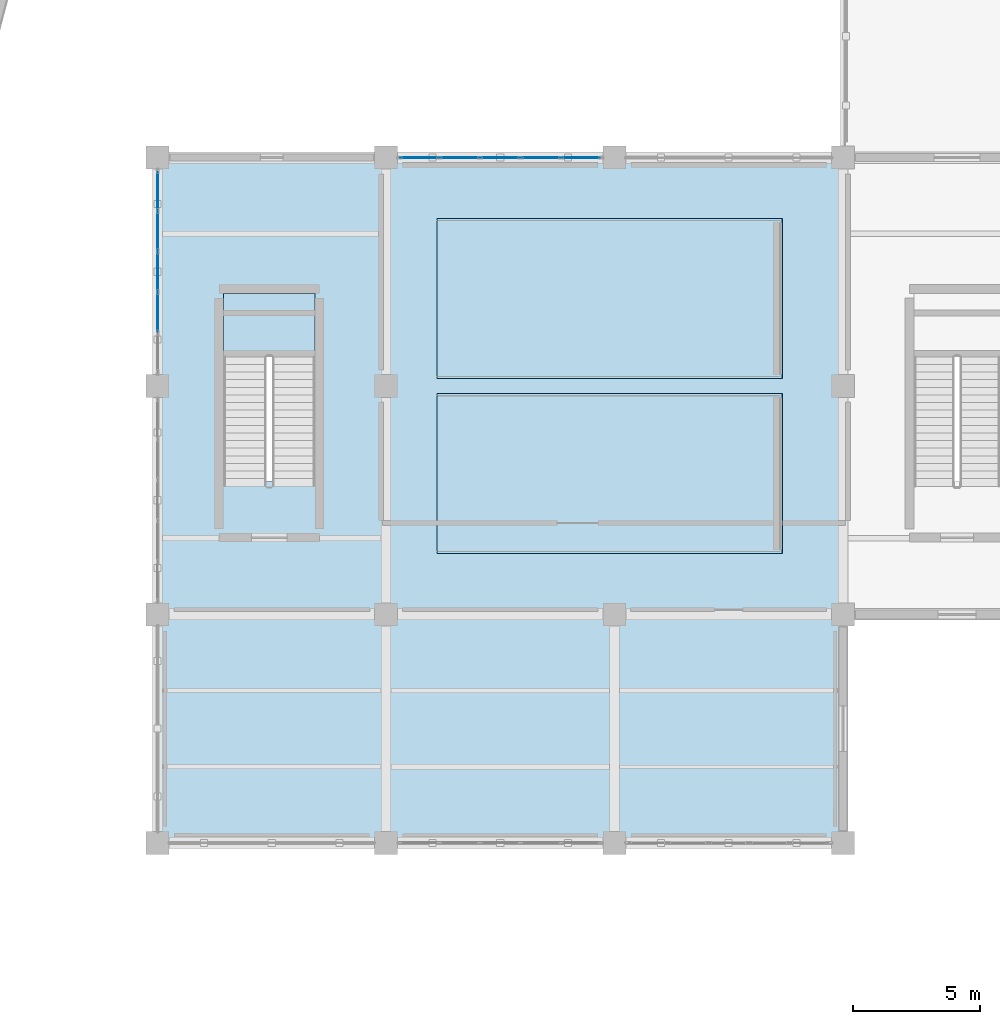
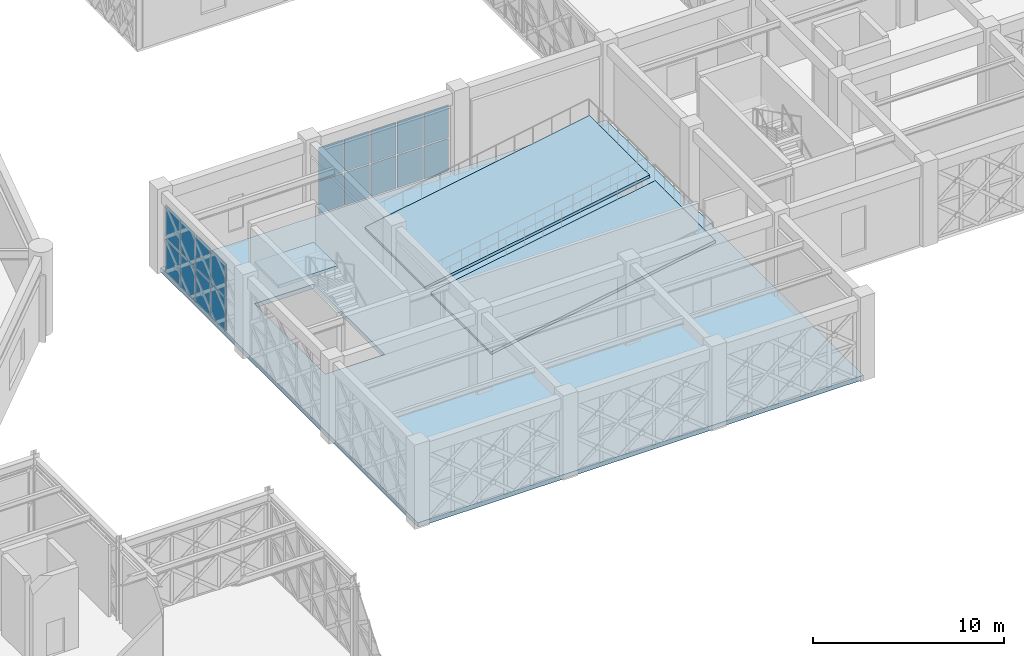
# One storey, part 129 of 166: 18 plates, 4 slabs, 3 elements without a shape of their own.
"""IFC4 building model written with IfcOpenShell, lengths in metres."""

from ifc_helpers import new_model, si_unit, direction, frame, origin, origin_2d, place, context, subcontext, project, spatial, polyline, rectangle, outline, extrude, material, layer, layer_set, type_object, element, aggregate, save


model = new_model("IFC4")

# Units and contexts
model_context = context("Model", 3, precision=1e-05, world=origin(), true_north=direction((0.0, 1.0)))
body_context = subcontext(model_context, "Body", "Model", "MODEL_VIEW")
ifc_project = project(units=[si_unit("LENGTHUNIT", "METRE"), si_unit("AREAUNIT", "SQUARE_METRE"), si_unit("VOLUMEUNIT", "CUBIC_METRE"), si_unit("PLANEANGLEUNIT", "RADIAN"), si_unit("MASSUNIT", "GRAM", prefix="KILO")], contexts=[model_context])

# Site, building, storey
site_placement = place(None, origin())
site = spatial("IfcSite", under=ifc_project, at=site_placement, CompositionType="ELEMENT")
building_placement = place(site_placement, origin())
building = spatial("IfcBuilding", under=site, at=building_placement, Name="Haizhuo Lancet Aquarium", CompositionType="ELEMENT")
storey_placement = place(building_placement, frame((0.0, 0.0, 5.39990234375)))
storey = spatial("IfcBuildingStorey", under=building, at=storey_placement, Name="L01", CompositionType="ELEMENT", Elevation=5.39990234375)

# Curtain wall, plates
ifc_material_1 = material(Name="Aluminium 6063-T6", Category="aluminium")
curtain_wall_type_1 = type_object("IfcCurtainWallType", Name="CWO-8010x4390", PredefinedType="NOTDEFINED", material=ifc_material_1)
curtain_wall_1_placement = place(storey_placement, origin())
curtain_wall_1 = element("IfcCurtainWall", 1, at=curtain_wall_1_placement, inside=storey, type_object=curtain_wall_type_1, Name="L01 curtain wall CW-V3-L01-038", PredefinedType="NOTDEFINED")
ifc_material_2 = material(Name="Laminated Low-E Glass", Category="glass")
ifc_layer_1 = layer(ifc_material_2, 0.033935546875)
ifc_layer_set_1 = layer_set([ifc_layer_1], Name="Laminated Low-E Glass")
plate_type = type_object("IfcPlateType", Name="CW-PNL-2", PredefinedType="CURTAIN_PANEL", material=ifc_layer_set_1)
plate_1_placement = place(storey_placement, frame((37.31494140625, -9.0, 0.07470703125), z_axis=(0.0, 0.0, 1.0), x_axis=(1.0, 0.0, 0.0)))
plate_1 = element("IfcPlate", 2, at=plate_1_placement, type_object=plate_type, Name="CWO-80x43 panel 1.1", PredefinedType="CURTAIN_PANEL", context=body_context, shape_type="SweptSolid", body=[
    extrude(rectangle(XDim=1.489990234375, YDim=0.033935546875, at=origin_2d()), origin(), (0.0, 0.0, 1.0), 2.0830078125),
])
plate_2_placement = place(storey_placement, frame((37.31494140625, -9.0, 2.232666015625), z_axis=(0.0, 0.0, 1.0), x_axis=(1.0, 0.0, 0.0)))
plate_2 = element("IfcPlate", 3, at=plate_2_placement, type_object=plate_type, Name="CWO-80x43 panel 1.2", PredefinedType="CURTAIN_PANEL", context=body_context, shape_type="SweptSolid", body=[
    extrude(rectangle(XDim=1.489990234375, YDim=0.033935546875, at=origin_2d()), origin(), (0.0, 0.0, 1.0), 2.0830078125),
])
plate_3_placement = place(storey_placement, frame((38.89794921875, -9.0, 0.07470703125), z_axis=(0.0, 0.0, 1.0), x_axis=(1.0, 0.0, 0.0)))
plate_3 = element("IfcPlate", 4, at=plate_3_placement, type_object=plate_type, Name="CWO-80x43 panel 2.1", PredefinedType="CURTAIN_PANEL", context=body_context, shape_type="SweptSolid", body=[
    extrude(rectangle(XDim=1.527099609375, YDim=0.033935546875, at=origin_2d()), origin(), (0.0, 0.0, 1.0), 2.0830078125),
])
plate_4_placement = place(storey_placement, frame((38.89794921875, -9.0, 2.232666015625), z_axis=(0.0, 0.0, 1.0), x_axis=(1.0, 0.0, 0.0)))
plate_4 = element("IfcPlate", 5, at=plate_4_placement, type_object=plate_type, Name="CWO-80x43 panel 2.2", PredefinedType="CURTAIN_PANEL", context=body_context, shape_type="SweptSolid", body=[
    extrude(rectangle(XDim=1.527099609375, YDim=0.033935546875, at=origin_2d()), origin(), (0.0, 0.0, 1.0), 2.0830078125),
])
plate_5_placement = place(storey_placement, frame((40.5, -9.0, 0.07470703125), z_axis=(0.0, 0.0, 1.0), x_axis=(1.0, 0.0, 0.0)))
plate_5 = element("IfcPlate", 6, at=plate_5_placement, type_object=plate_type, Name="CWO-80x43 panel 3.1", PredefinedType="CURTAIN_PANEL", context=body_context, shape_type="SweptSolid", body=[
    extrude(rectangle(XDim=1.527099609375, YDim=0.033935546875, at=origin_2d()), origin(), (0.0, 0.0, 1.0), 2.0830078125),
])
plate_6_placement = place(storey_placement, frame((40.5, -9.0, 2.232666015625), z_axis=(0.0, 0.0, 1.0), x_axis=(1.0, 0.0, 0.0)))
plate_6 = element("IfcPlate", 7, at=plate_6_placement, type_object=plate_type, Name="CWO-80x43 panel 3.2", PredefinedType="CURTAIN_PANEL", context=body_context, shape_type="SweptSolid", body=[
    extrude(rectangle(XDim=1.527099609375, YDim=0.033935546875, at=origin_2d()), origin(), (0.0, 0.0, 1.0), 2.0830078125),
])
plate_7_placement = place(storey_placement, frame((42.10205078125, -9.0, 0.07470703125), z_axis=(0.0, 0.0, 1.0), x_axis=(1.0, 0.0, 0.0)))
plate_7 = element("IfcPlate", 8, at=plate_7_placement, type_object=plate_type, Name="CWO-80x43 panel 4.1", PredefinedType="CURTAIN_PANEL", context=body_context, shape_type="SweptSolid", body=[
    extrude(rectangle(XDim=1.527099609375, YDim=0.033935546875, at=origin_2d()), origin(), (0.0, 0.0, 1.0), 2.0830078125),
])
plate_8_placement = place(storey_placement, frame((42.10205078125, -9.0, 2.232666015625), z_axis=(0.0, 0.0, 1.0), x_axis=(1.0, 0.0, 0.0)))
plate_8 = element("IfcPlate", 9, at=plate_8_placement, type_object=plate_type, Name="CWO-80x43 panel 4.2", PredefinedType="CURTAIN_PANEL", context=body_context, shape_type="SweptSolid", body=[
    extrude(rectangle(XDim=1.527099609375, YDim=0.033935546875, at=origin_2d()), origin(), (0.0, 0.0, 1.0), 2.0830078125),
])
plate_9_placement = place(storey_placement, frame((43.68505859375, -9.0, 0.07470703125), z_axis=(0.0, 0.0, 1.0), x_axis=(1.0, 0.0, 0.0)))
plate_9 = element("IfcPlate", 10, at=plate_9_placement, type_object=plate_type, Name="CWO-80x43 panel 5.1", PredefinedType="CURTAIN_PANEL", context=body_context, shape_type="SweptSolid", body=[
    extrude(rectangle(XDim=1.489990234375, YDim=0.033935546875, at=origin_2d()), origin(), (0.0, 0.0, 1.0), 2.0830078125),
])
plate_10_placement = place(storey_placement, frame((43.68505859375, -9.0, 2.232666015625), z_axis=(0.0, 0.0, 1.0), x_axis=(1.0, 0.0, 0.0)))
plate_10 = element("IfcPlate", 11, at=plate_10_placement, type_object=plate_type, Name="CWO-80x43 panel 5.2", PredefinedType="CURTAIN_PANEL", context=body_context, shape_type="SweptSolid", body=[
    extrude(rectangle(XDim=1.489990234375, YDim=0.033935546875, at=origin_2d()), origin(), (0.0, 0.0, 1.0), 2.0830078125),
])
aggregate(curtain_wall_1, [plate_1, plate_2, plate_3, plate_4, plate_5, plate_6, plate_7, plate_8, plate_9, plate_10])

curtain_wall_type_2 = type_object("IfcCurtainWallType", Name="CWO-8010x4440", PredefinedType="NOTDEFINED", material=ifc_material_1)
curtain_wall_2_placement = place(storey_placement, origin())
curtain_wall_2 = element("IfcCurtainWall", 12, at=curtain_wall_2_placement, inside=storey, type_object=curtain_wall_type_2, Name="L01 curtain wall CW-V3-L01-050", PredefinedType="NOTDEFINED")
plate_11_placement = place(storey_placement, frame((27.0, -15.10205078125, 0.0751953125), z_axis=(0.0, 0.0, 1.0), x_axis=(0.0, 1.0, 0.0)))
plate_11 = element("IfcPlate", 13, at=plate_11_placement, type_object=plate_type, Name="CWO-80x44 panel 2.1", PredefinedType="CURTAIN_PANEL", context=body_context, shape_type="SweptSolid", body=[
    extrude(rectangle(XDim=1.527099609375, YDim=0.033935546875, at=origin_2d()), origin(), (0.0, 0.0, 1.0), 2.10791015625),
])
plate_12_placement = place(storey_placement, frame((27.0, -15.10205078125, 2.257080078125), z_axis=(0.0, 0.0, 1.0), x_axis=(0.0, 1.0, 0.0)))
plate_12 = element("IfcPlate", 14, at=plate_12_placement, type_object=plate_type, Name="CWO-80x44 panel 2.2", PredefinedType="CURTAIN_PANEL", context=body_context, shape_type="SweptSolid", body=[
    extrude(rectangle(XDim=1.527099609375, YDim=0.033935546875, at=origin_2d()), origin(), (0.0, 0.0, 1.0), 2.10791015625),
])
plate_13_placement = place(storey_placement, frame((27.0, -13.5, 0.0751953125), z_axis=(0.0, 0.0, 1.0), x_axis=(0.0, 1.0, 0.0)))
plate_13 = element("IfcPlate", 15, at=plate_13_placement, type_object=plate_type, Name="CWO-80x44 panel 3.1", PredefinedType="CURTAIN_PANEL", context=body_context, shape_type="SweptSolid", body=[
    extrude(rectangle(XDim=1.527099609375, YDim=0.033935546875, at=origin_2d()), origin(), (0.0, 0.0, 1.0), 2.10791015625),
])
plate_14_placement = place(storey_placement, frame((27.0, -13.5, 2.257080078125), z_axis=(0.0, 0.0, 1.0), x_axis=(0.0, 1.0, 0.0)))
plate_14 = element("IfcPlate", 16, at=plate_14_placement, type_object=plate_type, Name="CWO-80x44 panel 3.2", PredefinedType="CURTAIN_PANEL", context=body_context, shape_type="SweptSolid", body=[
    extrude(rectangle(XDim=1.527099609375, YDim=0.033935546875, at=origin_2d()), origin(), (0.0, 0.0, 1.0), 2.10791015625),
])
plate_15_placement = place(storey_placement, frame((27.0, -11.89794921875, 0.0751953125), z_axis=(0.0, 0.0, 1.0), x_axis=(0.0, 1.0, 0.0)))
plate_15 = element("IfcPlate", 17, at=plate_15_placement, type_object=plate_type, Name="CWO-80x44 panel 4.1", PredefinedType="CURTAIN_PANEL", context=body_context, shape_type="SweptSolid", body=[
    extrude(rectangle(XDim=1.527099609375, YDim=0.033935546875, at=origin_2d()), origin(), (0.0, 0.0, 1.0), 2.10791015625),
])
plate_16_placement = place(storey_placement, frame((27.0, -11.89794921875, 2.257080078125), z_axis=(0.0, 0.0, 1.0), x_axis=(0.0, 1.0, 0.0)))
plate_16 = element("IfcPlate", 18, at=plate_16_placement, type_object=plate_type, Name="CWO-80x44 panel 4.2", PredefinedType="CURTAIN_PANEL", context=body_context, shape_type="SweptSolid", body=[
    extrude(rectangle(XDim=1.527099609375, YDim=0.033935546875, at=origin_2d()), origin(), (0.0, 0.0, 1.0), 2.10791015625),
])
plate_17_placement = place(storey_placement, frame((27.0, -10.31494140625, 0.0751953125), z_axis=(0.0, 0.0, 1.0), x_axis=(0.0, 1.0, 0.0)))
plate_17 = element("IfcPlate", 19, at=plate_17_placement, type_object=plate_type, Name="CWO-80x44 panel 5.1", PredefinedType="CURTAIN_PANEL", context=body_context, shape_type="SweptSolid", body=[
    extrude(rectangle(XDim=1.489990234375, YDim=0.033935546875, at=origin_2d()), origin(), (0.0, 0.0, 1.0), 2.10791015625),
])
plate_18_placement = place(storey_placement, frame((27.0, -10.31494140625, 2.257080078125), z_axis=(0.0, 0.0, 1.0), x_axis=(0.0, 1.0, 0.0)))
plate_18 = element("IfcPlate", 20, at=plate_18_placement, type_object=plate_type, Name="CWO-80x44 panel 5.2", PredefinedType="CURTAIN_PANEL", context=body_context, shape_type="SweptSolid", body=[
    extrude(rectangle(XDim=1.489990234375, YDim=0.033935546875, at=origin_2d()), origin(), (0.0, 0.0, 1.0), 2.10791015625),
])
aggregate(curtain_wall_2, [plate_11, plate_12, plate_13, plate_14, plate_15, plate_16, plate_17, plate_18])

# Slab
ifc_material_3 = material(Name="Concrete C40/50", Category="concrete")
ifc_layer_2 = layer(ifc_material_3, 0.280029296875)
ifc_layer_set_2 = layer_set([ifc_layer_2], Name="Concrete C40/50")
slab_type_1 = type_object("IfcSlabType", Name="SLB-HEAVY-280", PredefinedType="FLOOR", material=ifc_layer_set_2)
slab_1_placement = place(storey_placement, frame((0.0, 0.0, -0.27978515625)))
element("IfcSlab", 21, at=slab_1_placement, inside=storey, type_object=slab_type_1, Name="L01 structural slab SL-L01-V3-01", PredefinedType="FLOOR", context=body_context, shape_type="SweptSolid", body=[
    extrude(outline(polyline([(54.0, -9.0), (27.0, -9.0), (27.0, -36.0), (54.0, -36.0), (54.0, -9.0)]), holes=[polyline([(29.60009765625, -21.77001953125), (33.199951171875, -21.77001953125), (33.199951171875, -14.35009765625), (29.60009765625, -14.35009765625), (29.60009765625, -21.77001953125)])]), origin(), (0.0, 0.0, 1.0), 0.27978515625),
])

# Stair, slab
stair_type = type_object("IfcStairType", Name="STR-HT-1700-54", PredefinedType="HALF_TURN_STAIR", material=ifc_material_3)
stair_placement = place(storey_placement, origin())
stair = element("IfcStair", 22, at=stair_placement, inside=storey, type_object=stair_type, Name="L01 enclosed exit stair ST-04", PredefinedType="HALF_TURN_STAIR")
ifc_layer_3 = layer(ifc_material_3, 0.199951171875)
ifc_layer_set_3 = layer_set([ifc_layer_3], Name="Concrete C40/50")
slab_type_2 = type_object("IfcSlabType", Name="SLB-LND-1700", PredefinedType="LANDING", material=ifc_layer_set_3)
slab_2_placement = place(storey_placement, frame((0.0, 0.0, 2.5)))
slab_2 = element("IfcSlab", 23, at=slab_2_placement, type_object=slab_type_2, Name="ST-35 landing 1", PredefinedType="LANDING", context=body_context, shape_type="SweptSolid", body=[
    extrude(outline(polyline([(33.199951171875, -16.85009765625), (33.199951171875, -14.35009765625), (29.60009765625, -14.35009765625), (29.60009765625, -16.85009765625), (33.199951171875, -16.85009765625)])), origin(), (0.0, 0.0, 1.0), 0.2001953125),
])
aggregate(stair, [slab_2])

# Slabs
ifc_layer_4 = layer(ifc_material_3, 0.179931640625)
ifc_layer_set_4 = layer_set([ifc_layer_4], Name="Concrete C40/50")
slab_type_3 = type_object("IfcSlabType", Name="SLB-TIER-180", PredefinedType="USERDEFINED", material=ifc_layer_set_4)
for number, where, z_axis, x_axis, name in (
    (24, (38.0, -24.60009765625, 0.18505859375), (-0.173640105723, 0.0, 0.98480917628), (0.98480917628, 0.0, 0.173640105723), "Education Centre Auditorium raked seating tier 1"),
    (25, (38.0, -17.699951171875, 0.18505859375), (-0.173640105723, 0.0, 0.98480917628), (0.98480917628, 0.0, 0.173640105723), "Education Centre Auditorium raked seating tier 2"),
):
    element("IfcSlab", number, at=place(storey_placement, frame(where, z_axis=z_axis, x_axis=x_axis)), inside=storey, type_object=slab_type_3, Name=name, ObjectType="SEATING TIER", PredefinedType="USERDEFINED", context=body_context, shape_type="SweptSolid", body=[
        extrude(outline(polyline([(0.0, 0.0), (13.809881126035824, 0.0), (13.809881126035824, 6.300048828125), (0.0, 6.300048828125), (0.0, 0.0)])), origin(), (0.0, 0.0, -1.0), 0.179931640625),
    ])

save(model, "model.ifc")
